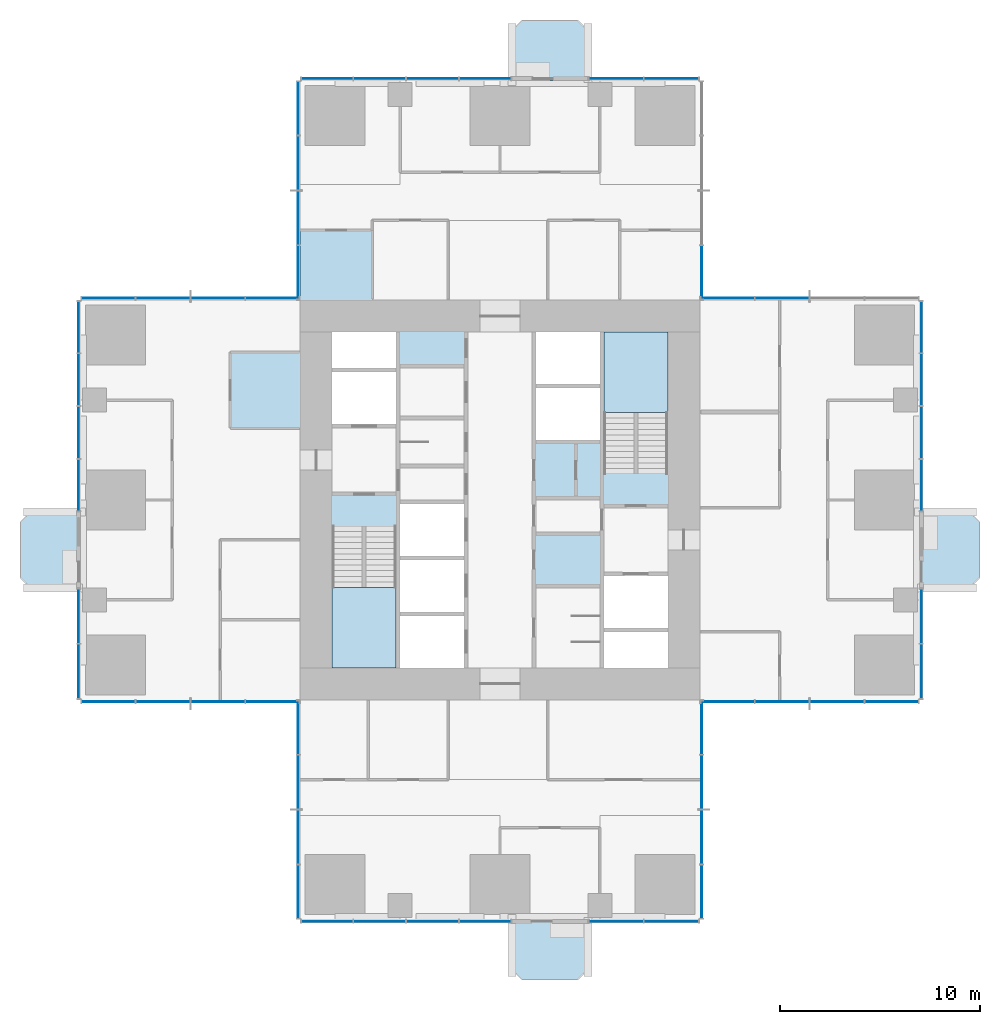
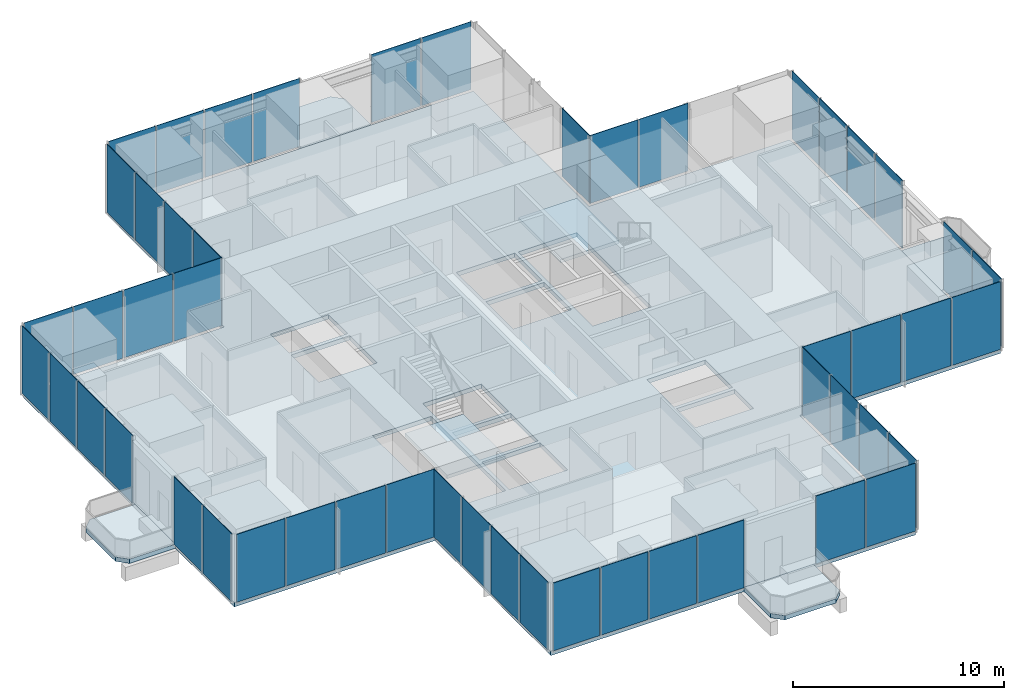
# One storey, part 7 of 14: 51 plates, 7 slabs, 18 elements without a shape of their own.
"""IFC4 building model written with IfcOpenShell, lengths in metres."""

from ifc_helpers import new_model, si_unit, direction, frame, origin, origin_2d, place, context, subcontext, project, spatial, polyline, rectangle, outline, extrude, material, layer, layer_set, type_object, element, aggregate, save


model = new_model("IFC4")

# Units and contexts
model_context = context("Model", 3, precision=1e-05, world=origin(), true_north=direction((0.0, 1.0)))
body_context = subcontext(model_context, "Body", "Model", "MODEL_VIEW")
ifc_project = project(units=[si_unit("LENGTHUNIT", "METRE"), si_unit("AREAUNIT", "SQUARE_METRE"), si_unit("VOLUMEUNIT", "CUBIC_METRE"), si_unit("PLANEANGLEUNIT", "RADIAN"), si_unit("MASSUNIT", "GRAM", prefix="KILO")], contexts=[model_context])

# Site, building, storey
site_placement = place(None, origin())
site = spatial("IfcSite", under=ifc_project, at=site_placement, CompositionType="ELEMENT")
building_placement = place(site_placement, origin())
building = spatial("IfcBuilding", under=site, at=building_placement, Name="Svetlomir Tower", CompositionType="ELEMENT")
storey_placement = place(building_placement, frame((0.0, 0.0, 104.5)))
storey = spatial("IfcBuildingStorey", under=building, at=storey_placement, Name="L24", CompositionType="ELEMENT", Elevation=104.5)

# Slabs
ifc_material_1 = material(Name="Concrete C60/75", Category="concrete")
ifc_layer_1 = layer(ifc_material_1, 0.25)
ifc_layer_set_1 = layer_set([ifc_layer_1], Name="Concrete C60/75")
slab_type_1 = type_object("IfcSlabType", Name="BALCONY SLAB 250", PredefinedType="FLOOR", material=ifc_layer_set_1)
slab_1_placement = place(storey_placement, frame((0.0, 0.0, -0.25)))
element("IfcSlab", 1, at=slab_1_placement, inside=storey, type_object=slab_type_1, Name="L24 S planted balcony", PredefinedType="FLOOR", context=body_context, shape_type="SweptSolid", body=[
    extrude(outline(polyline([(21.60009765625, -2.5), (22.10009765625, -3.0), (24.89990234375, -3.0), (25.39990234375, -2.5), (25.39990234375, 0.0), (21.60009765625, 0.0), (21.60009765625, -2.5)])), origin(), (0.0, 0.0, 1.0), 0.25),
])
slab_2_placement = place(storey_placement, frame((0.0, 0.0, -0.25)))
element("IfcSlab", 2, at=slab_2_placement, inside=storey, type_object=slab_type_1, Name="L24 E planted balcony", PredefinedType="FLOOR", context=body_context, shape_type="SweptSolid", body=[
    extrude(outline(polyline([(42.0, 16.60009765625), (44.5, 16.60009765625), (45.0, 17.10009765625), (45.0, 19.89990234375), (44.5, 20.39990234375), (42.0, 20.39990234375), (42.0, 16.60009765625)])), origin(), (0.0, 0.0, 1.0), 0.25),
])
slab_3_placement = place(storey_placement, frame((0.0, 0.0, -0.25)))
element("IfcSlab", 3, at=slab_3_placement, inside=storey, type_object=slab_type_1, Name="L24 N planted balcony", PredefinedType="FLOOR", context=body_context, shape_type="SweptSolid", body=[
    extrude(outline(polyline([(21.60009765625, 42.0), (25.39990234375, 42.0), (25.39990234375, 44.5), (24.89990234375, 45.0), (22.10009765625, 45.0), (21.60009765625, 44.5), (21.60009765625, 42.0)])), origin(), (0.0, 0.0, 1.0), 0.25),
])
slab_4_placement = place(storey_placement, frame((0.0, 0.0, -0.25)))
element("IfcSlab", 4, at=slab_4_placement, inside=storey, type_object=slab_type_1, Name="L24 W planted balcony", PredefinedType="FLOOR", context=body_context, shape_type="SweptSolid", body=[
    extrude(outline(polyline([(-2.5, 16.60009765625), (0.0, 16.60009765625), (0.0, 20.39990234375), (-2.5, 20.39990234375), (-3.0, 19.89990234375), (-3.0, 17.10009765625), (-2.5, 16.60009765625)])), origin(), (0.0, 0.0, 1.0), 0.25),
])

# Curtain wall, plates
ifc_material_2 = material(Name="Bronze anodised aluminium curtain wall", Category="aluminium")
curtain_wall_type = type_object("IfcCurtainWallType", Name="CURTAIN WALL CW1 TOWER OFFICE", PredefinedType="NOTDEFINED", material=ifc_material_2)
curtain_wall_1_placement = place(storey_placement, origin())
curtain_wall_1 = element("IfcCurtainWall", 5, at=curtain_wall_1_placement, inside=storey, type_object=curtain_wall_type, Name="Curtain wall CW1 L24", PredefinedType="NOTDEFINED")
ifc_material_3 = material(Name="Tinted double glazed unit", Category="glass")
ifc_layer_2 = layer(ifc_material_3, 0.031982421875)
ifc_layer_set_2 = layer_set([ifc_layer_2], Name="Tinted double glazed unit")
plate_type = type_object("IfcPlateType", Name="CW1 GLAZED PANEL 32", PredefinedType="CURTAIN_PANEL", material=ifc_layer_set_2)
plate_1_placement = place(storey_placement, frame((12.34130859375, -0.10009765625, 0.06494140625), z_axis=(0.0, 0.0, 1.0), x_axis=(1.0, 0.0, 0.0)))
plate_1 = element("IfcPlate", 6, at=plate_1_placement, type_object=plate_type, Name="CW1 panel 1.1", PredefinedType="CURTAIN_PANEL", context=body_context, shape_type="SweptSolid", body=[
    extrude(rectangle(XDim=2.552490234375, YDim=0.031982421875, at=origin_2d()), origin(), (0.0, 0.0, 1.0), 3.93505859375),
])
plate_2_placement = place(storey_placement, frame((14.97509765625, -0.10009765625, 0.06494140625), z_axis=(0.0, 0.0, 1.0), x_axis=(1.0, 0.0, 0.0)))
plate_2 = element("IfcPlate", 7, at=plate_2_placement, type_object=plate_type, Name="CW1 panel 2.1", PredefinedType="CURTAIN_PANEL", context=body_context, shape_type="SweptSolid", body=[
    extrude(rectangle(XDim=2.5849609375, YDim=0.031982421875, at=origin_2d()), origin(), (0.0, 0.0, 1.0), 3.93505859375),
])
plate_3_placement = place(storey_placement, frame((17.625, -0.10009765625, 0.06494140625), z_axis=(0.0, 0.0, 1.0), x_axis=(1.0, 0.0, 0.0)))
plate_3 = element("IfcPlate", 8, at=plate_3_placement, type_object=plate_type, Name="CW1 panel 3.1", PredefinedType="CURTAIN_PANEL", context=body_context, shape_type="SweptSolid", body=[
    extrude(rectangle(XDim=2.5849609375, YDim=0.031982421875, at=origin_2d()), origin(), (0.0, 0.0, 1.0), 3.93505859375),
])
plate_4_placement = place(storey_placement, frame((20.2587890625, -0.10009765625, 0.06494140625), z_axis=(0.0, 0.0, 1.0), x_axis=(1.0, 0.0, 0.0)))
plate_4 = element("IfcPlate", 9, at=plate_4_placement, type_object=plate_type, Name="CW1 panel 4.1", PredefinedType="CURTAIN_PANEL", context=body_context, shape_type="SweptSolid", body=[
    extrude(rectangle(XDim=2.552490234375, YDim=0.031982421875, at=origin_2d()), origin(), (0.0, 0.0, 1.0), 3.93505859375),
])
aggregate(curtain_wall_1, [plate_1, plate_2, plate_3, plate_4])

curtain_wall_2_placement = place(storey_placement, origin())
curtain_wall_2 = element("IfcCurtainWall", 10, at=curtain_wall_2_placement, inside=storey, type_object=curtain_wall_type, Name="Curtain wall CW1 L24", PredefinedType="NOTDEFINED")
plate_5_placement = place(storey_placement, frame((26.816162109375, -0.10009765625, 0.06494140625), z_axis=(0.0, 0.0, 1.0), x_axis=(1.0, 0.0, 0.0)))
plate_5 = element("IfcPlate", 11, at=plate_5_placement, type_object=plate_type, Name="CW1 panel 1.1", PredefinedType="CURTAIN_PANEL", context=body_context, shape_type="SweptSolid", body=[
    extrude(rectangle(XDim=2.702392578125, YDim=0.031982421875, at=origin_2d()), origin(), (0.0, 0.0, 1.0), 3.93505859375),
])
plate_6_placement = place(storey_placement, frame((29.583740234375, -0.10009765625, 0.06494140625), z_axis=(0.0, 0.0, 1.0), x_axis=(1.0, 0.0, 0.0)))
plate_6 = element("IfcPlate", 12, at=plate_6_placement, type_object=plate_type, Name="CW1 panel 2.1", PredefinedType="CURTAIN_PANEL", context=body_context, shape_type="SweptSolid", body=[
    extrude(rectangle(XDim=2.702392578125, YDim=0.031982421875, at=origin_2d()), origin(), (0.0, 0.0, 1.0), 3.93505859375),
])
aggregate(curtain_wall_2, [plate_5, plate_6])

curtain_wall_3_placement = place(storey_placement, origin())
curtain_wall_3 = element("IfcCurtainWall", 13, at=curtain_wall_3_placement, inside=storey, type_object=curtain_wall_type, Name="Curtain wall CW1 L24", PredefinedType="NOTDEFINED")
plate_7_placement = place(storey_placement, frame((31.10009765625, 1.391357421875, 0.06494140625), z_axis=(0.0, 0.0, 1.0), x_axis=(0.0, 1.0, 0.0)))
plate_7 = element("IfcPlate", 14, at=plate_7_placement, type_object=plate_type, Name="CW1 panel 1.1", PredefinedType="CURTAIN_PANEL", context=body_context, shape_type="SweptSolid", body=[
    extrude(rectangle(XDim=2.652587890625, YDim=0.031982421875, at=origin_2d()), origin(), (0.0, 0.0, 1.0), 3.93505859375),
])
plate_8_placement = place(storey_placement, frame((31.10009765625, 4.125, 0.06494140625), z_axis=(0.0, 0.0, 1.0), x_axis=(0.0, 1.0, 0.0)))
plate_8 = element("IfcPlate", 15, at=plate_8_placement, type_object=plate_type, Name="CW1 panel 2.1", PredefinedType="CURTAIN_PANEL", context=body_context, shape_type="SweptSolid", body=[
    extrude(rectangle(XDim=2.68505859375, YDim=0.031982421875, at=origin_2d()), origin(), (0.0, 0.0, 1.0), 3.93505859375),
])
plate_9_placement = place(storey_placement, frame((31.10009765625, 6.875, 0.06494140625), z_axis=(0.0, 0.0, 1.0), x_axis=(0.0, 1.0, 0.0)))
plate_9 = element("IfcPlate", 16, at=plate_9_placement, type_object=plate_type, Name="CW1 panel 3.1", PredefinedType="CURTAIN_PANEL", context=body_context, shape_type="SweptSolid", body=[
    extrude(rectangle(XDim=2.68505859375, YDim=0.031982421875, at=origin_2d()), origin(), (0.0, 0.0, 1.0), 3.93505859375),
])
plate_10_placement = place(storey_placement, frame((31.10009765625, 9.608642578125, 0.06494140625), z_axis=(0.0, 0.0, 1.0), x_axis=(0.0, 1.0, 0.0)))
plate_10 = element("IfcPlate", 17, at=plate_10_placement, type_object=plate_type, Name="CW1 panel 4.1", PredefinedType="CURTAIN_PANEL", context=body_context, shape_type="SweptSolid", body=[
    extrude(rectangle(XDim=2.652587890625, YDim=0.031982421875, at=origin_2d()), origin(), (0.0, 0.0, 1.0), 3.93505859375),
])
aggregate(curtain_wall_3, [plate_7, plate_8, plate_9, plate_10])

curtain_wall_4_placement = place(storey_placement, origin())
curtain_wall_4 = element("IfcCurtainWall", 18, at=curtain_wall_4_placement, inside=storey, type_object=curtain_wall_type, Name="Curtain wall CW1 L24", PredefinedType="NOTDEFINED")
plate_11_placement = place(storey_placement, frame((32.391357421875, 10.89990234375, 0.06494140625), z_axis=(0.0, 0.0, 1.0), x_axis=(1.0, 0.0, 0.0)))
plate_11 = element("IfcPlate", 19, at=plate_11_placement, type_object=plate_type, Name="CW1 panel 1.1", PredefinedType="CURTAIN_PANEL", context=body_context, shape_type="SweptSolid", body=[
    extrude(rectangle(XDim=2.652587890625, YDim=0.031982421875, at=origin_2d()), origin(), (0.0, 0.0, 1.0), 3.93505859375),
])
plate_12_placement = place(storey_placement, frame((35.125, 10.89990234375, 0.06494140625), z_axis=(0.0, 0.0, 1.0), x_axis=(1.0, 0.0, 0.0)))
plate_12 = element("IfcPlate", 20, at=plate_12_placement, type_object=plate_type, Name="CW1 panel 2.1", PredefinedType="CURTAIN_PANEL", context=body_context, shape_type="SweptSolid", body=[
    extrude(rectangle(XDim=2.68505859375, YDim=0.031982421875, at=origin_2d()), origin(), (0.0, 0.0, 1.0), 3.93505859375),
])
plate_13_placement = place(storey_placement, frame((37.875, 10.89990234375, 0.06494140625), z_axis=(0.0, 0.0, 1.0), x_axis=(1.0, 0.0, 0.0)))
plate_13 = element("IfcPlate", 21, at=plate_13_placement, type_object=plate_type, Name="CW1 panel 3.1", PredefinedType="CURTAIN_PANEL", context=body_context, shape_type="SweptSolid", body=[
    extrude(rectangle(XDim=2.68505859375, YDim=0.031982421875, at=origin_2d()), origin(), (0.0, 0.0, 1.0), 3.93505859375),
])
plate_14_placement = place(storey_placement, frame((40.608642578125, 10.89990234375, 0.06494140625), z_axis=(0.0, 0.0, 1.0), x_axis=(1.0, 0.0, 0.0)))
plate_14 = element("IfcPlate", 22, at=plate_14_placement, type_object=plate_type, Name="CW1 panel 4.1", PredefinedType="CURTAIN_PANEL", context=body_context, shape_type="SweptSolid", body=[
    extrude(rectangle(XDim=2.652587890625, YDim=0.031982421875, at=origin_2d()), origin(), (0.0, 0.0, 1.0), 3.93505859375),
])
aggregate(curtain_wall_4, [plate_11, plate_12, plate_13, plate_14])

curtain_wall_5_placement = place(storey_placement, origin())
curtain_wall_5 = element("IfcCurtainWall", 23, at=curtain_wall_5_placement, inside=storey, type_object=curtain_wall_type, Name="Curtain wall CW1 L24", PredefinedType="NOTDEFINED")
plate_15_placement = place(storey_placement, frame((42.10009765625, 12.416259765625, 0.06494140625), z_axis=(0.0, 0.0, 1.0), x_axis=(0.0, 1.0, 0.0)))
plate_15 = element("IfcPlate", 24, at=plate_15_placement, type_object=plate_type, Name="CW1 panel 1.1", PredefinedType="CURTAIN_PANEL", context=body_context, shape_type="SweptSolid", body=[
    extrude(rectangle(XDim=2.702392578125, YDim=0.031982421875, at=origin_2d()), origin(), (0.0, 0.0, 1.0), 3.93505859375),
])
plate_16_placement = place(storey_placement, frame((42.10009765625, 15.183837890625, 0.06494140625), z_axis=(0.0, 0.0, 1.0), x_axis=(0.0, 1.0, 0.0)))
plate_16 = element("IfcPlate", 25, at=plate_16_placement, type_object=plate_type, Name="CW1 panel 2.1", PredefinedType="CURTAIN_PANEL", context=body_context, shape_type="SweptSolid", body=[
    extrude(rectangle(XDim=2.702392578125, YDim=0.031982421875, at=origin_2d()), origin(), (0.0, 0.0, 1.0), 3.93505859375),
])
aggregate(curtain_wall_5, [plate_15, plate_16])

curtain_wall_6_placement = place(storey_placement, origin())
curtain_wall_6 = element("IfcCurtainWall", 26, at=curtain_wall_6_placement, inside=storey, type_object=curtain_wall_type, Name="Curtain wall CW1 L24", PredefinedType="NOTDEFINED")
plate_17_placement = place(storey_placement, frame((42.10009765625, 21.7412109375, 0.06494140625), z_axis=(0.0, 0.0, 1.0), x_axis=(0.0, 1.0, 0.0)))
plate_17 = element("IfcPlate", 27, at=plate_17_placement, type_object=plate_type, Name="CW1 panel 1.1", PredefinedType="CURTAIN_PANEL", context=body_context, shape_type="SweptSolid", body=[
    extrude(rectangle(XDim=2.552490234375, YDim=0.031982421875, at=origin_2d()), origin(), (0.0, 0.0, 1.0), 3.93505859375),
])
plate_18_placement = place(storey_placement, frame((42.10009765625, 24.375, 0.06494140625), z_axis=(0.0, 0.0, 1.0), x_axis=(0.0, 1.0, 0.0)))
plate_18 = element("IfcPlate", 28, at=plate_18_placement, type_object=plate_type, Name="CW1 panel 2.1", PredefinedType="CURTAIN_PANEL", context=body_context, shape_type="SweptSolid", body=[
    extrude(rectangle(XDim=2.5849609375, YDim=0.031982421875, at=origin_2d()), origin(), (0.0, 0.0, 1.0), 3.93505859375),
])
plate_19_placement = place(storey_placement, frame((42.10009765625, 27.02490234375, 0.06494140625), z_axis=(0.0, 0.0, 1.0), x_axis=(0.0, 1.0, 0.0)))
plate_19 = element("IfcPlate", 29, at=plate_19_placement, type_object=plate_type, Name="CW1 panel 3.1", PredefinedType="CURTAIN_PANEL", context=body_context, shape_type="SweptSolid", body=[
    extrude(rectangle(XDim=2.5849609375, YDim=0.031982421875, at=origin_2d()), origin(), (0.0, 0.0, 1.0), 3.93505859375),
])
plate_20_placement = place(storey_placement, frame((42.10009765625, 29.65869140625, 0.06494140625), z_axis=(0.0, 0.0, 1.0), x_axis=(0.0, 1.0, 0.0)))
plate_20 = element("IfcPlate", 30, at=plate_20_placement, type_object=plate_type, Name="CW1 panel 4.1", PredefinedType="CURTAIN_PANEL", context=body_context, shape_type="SweptSolid", body=[
    extrude(rectangle(XDim=2.552490234375, YDim=0.031982421875, at=origin_2d()), origin(), (0.0, 0.0, 1.0), 3.93505859375),
])
aggregate(curtain_wall_6, [plate_17, plate_18, plate_19, plate_20])

curtain_wall_7_placement = place(storey_placement, origin())
curtain_wall_7 = element("IfcCurtainWall", 31, at=curtain_wall_7_placement, inside=storey, type_object=curtain_wall_type, Name="Curtain wall CW1 L24", PredefinedType="NOTDEFINED")
plate_21_placement = place(storey_placement, frame((35.125, 31.10009765625, 0.06494140625), z_axis=(0.0, 0.0, 1.0), x_axis=(-1.0, 0.0, 0.0)))
plate_21 = element("IfcPlate", 32, at=plate_21_placement, type_object=plate_type, Name="CW1 panel 3.1", PredefinedType="CURTAIN_PANEL", context=body_context, shape_type="SweptSolid", body=[
    extrude(rectangle(XDim=2.68505859375, YDim=0.031982421875, at=origin_2d()), origin(), (0.0, 0.0, 1.0), 3.93505859375),
])
plate_22_placement = place(storey_placement, frame((32.391357421875, 31.10009765625, 0.06494140625), z_axis=(0.0, 0.0, 1.0), x_axis=(-1.0, 0.0, 0.0)))
plate_22 = element("IfcPlate", 33, at=plate_22_placement, type_object=plate_type, Name="CW1 panel 4.1", PredefinedType="CURTAIN_PANEL", context=body_context, shape_type="SweptSolid", body=[
    extrude(rectangle(XDim=2.652587890625, YDim=0.031982421875, at=origin_2d()), origin(), (0.0, 0.0, 1.0), 3.93505859375),
])
aggregate(curtain_wall_7, [plate_21, plate_22])

# Curtain wall, plate
curtain_wall_8_placement = place(storey_placement, origin())
curtain_wall_8 = element("IfcCurtainWall", 34, at=curtain_wall_8_placement, inside=storey, type_object=curtain_wall_type, Name="Curtain wall CW1 L24", PredefinedType="NOTDEFINED")
plate_23_placement = place(storey_placement, frame((31.10009765625, 32.391357421875, 0.06494140625), z_axis=(0.0, 0.0, 1.0), x_axis=(0.0, 1.0, 0.0)))
plate_23 = element("IfcPlate", 35, at=plate_23_placement, type_object=plate_type, Name="CW1 panel 1.1", PredefinedType="CURTAIN_PANEL", context=body_context, shape_type="SweptSolid", body=[
    extrude(rectangle(XDim=2.652587890625, YDim=0.031982421875, at=origin_2d()), origin(), (0.0, 0.0, 1.0), 3.93505859375),
])
aggregate(curtain_wall_8, [plate_23])

# Curtain wall, plates
curtain_wall_9_placement = place(storey_placement, origin())
curtain_wall_9 = element("IfcCurtainWall", 36, at=curtain_wall_9_placement, inside=storey, type_object=curtain_wall_type, Name="Curtain wall CW1 L24", PredefinedType="NOTDEFINED")
plate_24_placement = place(storey_placement, frame((29.583740234375, 42.10009765625, 0.06494140625), z_axis=(0.0, 0.0, 1.0), x_axis=(-1.0, 0.0, 0.0)))
plate_24 = element("IfcPlate", 37, at=plate_24_placement, type_object=plate_type, Name="CW1 panel 1.1", PredefinedType="CURTAIN_PANEL", context=body_context, shape_type="SweptSolid", body=[
    extrude(rectangle(XDim=2.702392578125, YDim=0.031982421875, at=origin_2d()), origin(), (0.0, 0.0, 1.0), 3.93505859375),
])
plate_25_placement = place(storey_placement, frame((26.816162109375, 42.10009765625, 0.06494140625), z_axis=(0.0, 0.0, 1.0), x_axis=(-1.0, 0.0, 0.0)))
plate_25 = element("IfcPlate", 38, at=plate_25_placement, type_object=plate_type, Name="CW1 panel 2.1", PredefinedType="CURTAIN_PANEL", context=body_context, shape_type="SweptSolid", body=[
    extrude(rectangle(XDim=2.702392578125, YDim=0.031982421875, at=origin_2d()), origin(), (0.0, 0.0, 1.0), 3.93505859375),
])
aggregate(curtain_wall_9, [plate_24, plate_25])

curtain_wall_10_placement = place(storey_placement, origin())
curtain_wall_10 = element("IfcCurtainWall", 39, at=curtain_wall_10_placement, inside=storey, type_object=curtain_wall_type, Name="Curtain wall CW1 L24", PredefinedType="NOTDEFINED")
plate_26_placement = place(storey_placement, frame((20.2587890625, 42.10009765625, 0.06494140625), z_axis=(0.0, 0.0, 1.0), x_axis=(-1.0, 0.0, 0.0)))
plate_26 = element("IfcPlate", 40, at=plate_26_placement, type_object=plate_type, Name="CW1 panel 1.1", PredefinedType="CURTAIN_PANEL", context=body_context, shape_type="SweptSolid", body=[
    extrude(rectangle(XDim=2.552490234375, YDim=0.031982421875, at=origin_2d()), origin(), (0.0, 0.0, 1.0), 3.93505859375),
])
plate_27_placement = place(storey_placement, frame((17.625, 42.10009765625, 0.06494140625), z_axis=(0.0, 0.0, 1.0), x_axis=(-1.0, 0.0, 0.0)))
plate_27 = element("IfcPlate", 41, at=plate_27_placement, type_object=plate_type, Name="CW1 panel 2.1", PredefinedType="CURTAIN_PANEL", context=body_context, shape_type="SweptSolid", body=[
    extrude(rectangle(XDim=2.5849609375, YDim=0.031982421875, at=origin_2d()), origin(), (0.0, 0.0, 1.0), 3.93505859375),
])
plate_28_placement = place(storey_placement, frame((14.97509765625, 42.10009765625, 0.06494140625), z_axis=(0.0, 0.0, 1.0), x_axis=(-1.0, 0.0, 0.0)))
plate_28 = element("IfcPlate", 42, at=plate_28_placement, type_object=plate_type, Name="CW1 panel 3.1", PredefinedType="CURTAIN_PANEL", context=body_context, shape_type="SweptSolid", body=[
    extrude(rectangle(XDim=2.5849609375, YDim=0.031982421875, at=origin_2d()), origin(), (0.0, 0.0, 1.0), 3.93505859375),
])
plate_29_placement = place(storey_placement, frame((12.34130859375, 42.10009765625, 0.06494140625), z_axis=(0.0, 0.0, 1.0), x_axis=(-1.0, 0.0, 0.0)))
plate_29 = element("IfcPlate", 43, at=plate_29_placement, type_object=plate_type, Name="CW1 panel 4.1", PredefinedType="CURTAIN_PANEL", context=body_context, shape_type="SweptSolid", body=[
    extrude(rectangle(XDim=2.552490234375, YDim=0.031982421875, at=origin_2d()), origin(), (0.0, 0.0, 1.0), 3.93505859375),
])
aggregate(curtain_wall_10, [plate_26, plate_27, plate_28, plate_29])

curtain_wall_11_placement = place(storey_placement, origin())
curtain_wall_11 = element("IfcCurtainWall", 44, at=curtain_wall_11_placement, inside=storey, type_object=curtain_wall_type, Name="Curtain wall CW1 L24", PredefinedType="NOTDEFINED")
plate_30_placement = place(storey_placement, frame((10.89990234375, 40.608642578125, 0.06494140625), z_axis=(0.0, 0.0, 1.0), x_axis=(0.0, -1.0, 0.0)))
plate_30 = element("IfcPlate", 45, at=plate_30_placement, type_object=plate_type, Name="CW1 panel 1.1", PredefinedType="CURTAIN_PANEL", context=body_context, shape_type="SweptSolid", body=[
    extrude(rectangle(XDim=2.652587890625, YDim=0.031982421875, at=origin_2d()), origin(), (0.0, 0.0, 1.0), 3.93505859375),
])
plate_31_placement = place(storey_placement, frame((10.89990234375, 37.875, 0.06494140625), z_axis=(0.0, 0.0, 1.0), x_axis=(0.0, -1.0, 0.0)))
plate_31 = element("IfcPlate", 46, at=plate_31_placement, type_object=plate_type, Name="CW1 panel 2.1", PredefinedType="CURTAIN_PANEL", context=body_context, shape_type="SweptSolid", body=[
    extrude(rectangle(XDim=2.68505859375, YDim=0.031982421875, at=origin_2d()), origin(), (0.0, 0.0, 1.0), 3.93505859375),
])
plate_32_placement = place(storey_placement, frame((10.89990234375, 35.125, 0.06494140625), z_axis=(0.0, 0.0, 1.0), x_axis=(0.0, -1.0, 0.0)))
plate_32 = element("IfcPlate", 47, at=plate_32_placement, type_object=plate_type, Name="CW1 panel 3.1", PredefinedType="CURTAIN_PANEL", context=body_context, shape_type="SweptSolid", body=[
    extrude(rectangle(XDim=2.68505859375, YDim=0.031982421875, at=origin_2d()), origin(), (0.0, 0.0, 1.0), 3.93505859375),
])
plate_33_placement = place(storey_placement, frame((10.89990234375, 32.391357421875, 0.06494140625), z_axis=(0.0, 0.0, 1.0), x_axis=(0.0, -1.0, 0.0)))
plate_33 = element("IfcPlate", 48, at=plate_33_placement, type_object=plate_type, Name="CW1 panel 4.1", PredefinedType="CURTAIN_PANEL", context=body_context, shape_type="SweptSolid", body=[
    extrude(rectangle(XDim=2.652587890625, YDim=0.031982421875, at=origin_2d()), origin(), (0.0, 0.0, 1.0), 3.93505859375),
])
aggregate(curtain_wall_11, [plate_30, plate_31, plate_32, plate_33])

curtain_wall_12_placement = place(storey_placement, origin())
curtain_wall_12 = element("IfcCurtainWall", 49, at=curtain_wall_12_placement, inside=storey, type_object=curtain_wall_type, Name="Curtain wall CW1 L24", PredefinedType="NOTDEFINED")
plate_34_placement = place(storey_placement, frame((9.608642578125, 31.10009765625, 0.06494140625), z_axis=(0.0, 0.0, 1.0), x_axis=(-1.0, 0.0, 0.0)))
plate_34 = element("IfcPlate", 50, at=plate_34_placement, type_object=plate_type, Name="CW1 panel 1.1", PredefinedType="CURTAIN_PANEL", context=body_context, shape_type="SweptSolid", body=[
    extrude(rectangle(XDim=2.652587890625, YDim=0.031982421875, at=origin_2d()), origin(), (0.0, 0.0, 1.0), 3.93505859375),
])
plate_35_placement = place(storey_placement, frame((6.875, 31.10009765625, 0.06494140625), z_axis=(0.0, 0.0, 1.0), x_axis=(-1.0, 0.0, 0.0)))
plate_35 = element("IfcPlate", 51, at=plate_35_placement, type_object=plate_type, Name="CW1 panel 2.1", PredefinedType="CURTAIN_PANEL", context=body_context, shape_type="SweptSolid", body=[
    extrude(rectangle(XDim=2.68505859375, YDim=0.031982421875, at=origin_2d()), origin(), (0.0, 0.0, 1.0), 3.93505859375),
])
plate_36_placement = place(storey_placement, frame((4.125, 31.10009765625, 0.06494140625), z_axis=(0.0, 0.0, 1.0), x_axis=(-1.0, 0.0, 0.0)))
plate_36 = element("IfcPlate", 52, at=plate_36_placement, type_object=plate_type, Name="CW1 panel 3.1", PredefinedType="CURTAIN_PANEL", context=body_context, shape_type="SweptSolid", body=[
    extrude(rectangle(XDim=2.68505859375, YDim=0.031982421875, at=origin_2d()), origin(), (0.0, 0.0, 1.0), 3.93505859375),
])
plate_37_placement = place(storey_placement, frame((1.391357421875, 31.10009765625, 0.06494140625), z_axis=(0.0, 0.0, 1.0), x_axis=(-1.0, 0.0, 0.0)))
plate_37 = element("IfcPlate", 53, at=plate_37_placement, type_object=plate_type, Name="CW1 panel 4.1", PredefinedType="CURTAIN_PANEL", context=body_context, shape_type="SweptSolid", body=[
    extrude(rectangle(XDim=2.652587890625, YDim=0.031982421875, at=origin_2d()), origin(), (0.0, 0.0, 1.0), 3.93505859375),
])
aggregate(curtain_wall_12, [plate_34, plate_35, plate_36, plate_37])

curtain_wall_13_placement = place(storey_placement, origin())
curtain_wall_13 = element("IfcCurtainWall", 54, at=curtain_wall_13_placement, inside=storey, type_object=curtain_wall_type, Name="Curtain wall CW1 L24", PredefinedType="NOTDEFINED")
plate_38_placement = place(storey_placement, frame((-0.10009765625, 29.65869140625, 0.06494140625), z_axis=(0.0, 0.0, 1.0), x_axis=(0.0, -1.0, 0.0)))
plate_38 = element("IfcPlate", 55, at=plate_38_placement, type_object=plate_type, Name="CW1 panel 1.1", PredefinedType="CURTAIN_PANEL", context=body_context, shape_type="SweptSolid", body=[
    extrude(rectangle(XDim=2.552490234375, YDim=0.031982421875, at=origin_2d()), origin(), (0.0, 0.0, 1.0), 3.93505859375),
])
plate_39_placement = place(storey_placement, frame((-0.10009765625, 27.02490234375, 0.06494140625), z_axis=(0.0, 0.0, 1.0), x_axis=(0.0, -1.0, 0.0)))
plate_39 = element("IfcPlate", 56, at=plate_39_placement, type_object=plate_type, Name="CW1 panel 2.1", PredefinedType="CURTAIN_PANEL", context=body_context, shape_type="SweptSolid", body=[
    extrude(rectangle(XDim=2.5849609375, YDim=0.031982421875, at=origin_2d()), origin(), (0.0, 0.0, 1.0), 3.93505859375),
])
plate_40_placement = place(storey_placement, frame((-0.10009765625, 24.375, 0.06494140625), z_axis=(0.0, 0.0, 1.0), x_axis=(0.0, -1.0, 0.0)))
plate_40 = element("IfcPlate", 57, at=plate_40_placement, type_object=plate_type, Name="CW1 panel 3.1", PredefinedType="CURTAIN_PANEL", context=body_context, shape_type="SweptSolid", body=[
    extrude(rectangle(XDim=2.5849609375, YDim=0.031982421875, at=origin_2d()), origin(), (0.0, 0.0, 1.0), 3.93505859375),
])
plate_41_placement = place(storey_placement, frame((-0.10009765625, 21.7412109375, 0.06494140625), z_axis=(0.0, 0.0, 1.0), x_axis=(0.0, -1.0, 0.0)))
plate_41 = element("IfcPlate", 58, at=plate_41_placement, type_object=plate_type, Name="CW1 panel 4.1", PredefinedType="CURTAIN_PANEL", context=body_context, shape_type="SweptSolid", body=[
    extrude(rectangle(XDim=2.552490234375, YDim=0.031982421875, at=origin_2d()), origin(), (0.0, 0.0, 1.0), 3.93505859375),
])
aggregate(curtain_wall_13, [plate_38, plate_39, plate_40, plate_41])

curtain_wall_14_placement = place(storey_placement, origin())
curtain_wall_14 = element("IfcCurtainWall", 59, at=curtain_wall_14_placement, inside=storey, type_object=curtain_wall_type, Name="Curtain wall CW1 L24", PredefinedType="NOTDEFINED")
plate_42_placement = place(storey_placement, frame((-0.10009765625, 15.183837890625, 0.06494140625), z_axis=(0.0, 0.0, 1.0), x_axis=(0.0, -1.0, 0.0)))
plate_42 = element("IfcPlate", 60, at=plate_42_placement, type_object=plate_type, Name="CW1 panel 1.1", PredefinedType="CURTAIN_PANEL", context=body_context, shape_type="SweptSolid", body=[
    extrude(rectangle(XDim=2.702392578125, YDim=0.031982421875, at=origin_2d()), origin(), (0.0, 0.0, 1.0), 3.93505859375),
])
plate_43_placement = place(storey_placement, frame((-0.10009765625, 12.416259765625, 0.06494140625), z_axis=(0.0, 0.0, 1.0), x_axis=(0.0, -1.0, 0.0)))
plate_43 = element("IfcPlate", 61, at=plate_43_placement, type_object=plate_type, Name="CW1 panel 2.1", PredefinedType="CURTAIN_PANEL", context=body_context, shape_type="SweptSolid", body=[
    extrude(rectangle(XDim=2.702392578125, YDim=0.031982421875, at=origin_2d()), origin(), (0.0, 0.0, 1.0), 3.93505859375),
])
aggregate(curtain_wall_14, [plate_42, plate_43])

curtain_wall_15_placement = place(storey_placement, origin())
curtain_wall_15 = element("IfcCurtainWall", 62, at=curtain_wall_15_placement, inside=storey, type_object=curtain_wall_type, Name="Curtain wall CW1 L24", PredefinedType="NOTDEFINED")
plate_44_placement = place(storey_placement, frame((1.391357421875, 10.89990234375, 0.06494140625), z_axis=(0.0, 0.0, 1.0), x_axis=(1.0, 0.0, 0.0)))
plate_44 = element("IfcPlate", 63, at=plate_44_placement, type_object=plate_type, Name="CW1 panel 1.1", PredefinedType="CURTAIN_PANEL", context=body_context, shape_type="SweptSolid", body=[
    extrude(rectangle(XDim=2.652587890625, YDim=0.031982421875, at=origin_2d()), origin(), (0.0, 0.0, 1.0), 3.93505859375),
])
plate_45_placement = place(storey_placement, frame((4.125, 10.89990234375, 0.06494140625), z_axis=(0.0, 0.0, 1.0), x_axis=(1.0, 0.0, 0.0)))
plate_45 = element("IfcPlate", 64, at=plate_45_placement, type_object=plate_type, Name="CW1 panel 2.1", PredefinedType="CURTAIN_PANEL", context=body_context, shape_type="SweptSolid", body=[
    extrude(rectangle(XDim=2.68505859375, YDim=0.031982421875, at=origin_2d()), origin(), (0.0, 0.0, 1.0), 3.93505859375),
])
plate_46_placement = place(storey_placement, frame((6.875, 10.89990234375, 0.06494140625), z_axis=(0.0, 0.0, 1.0), x_axis=(1.0, 0.0, 0.0)))
plate_46 = element("IfcPlate", 65, at=plate_46_placement, type_object=plate_type, Name="CW1 panel 3.1", PredefinedType="CURTAIN_PANEL", context=body_context, shape_type="SweptSolid", body=[
    extrude(rectangle(XDim=2.68505859375, YDim=0.031982421875, at=origin_2d()), origin(), (0.0, 0.0, 1.0), 3.93505859375),
])
plate_47_placement = place(storey_placement, frame((9.608642578125, 10.89990234375, 0.06494140625), z_axis=(0.0, 0.0, 1.0), x_axis=(1.0, 0.0, 0.0)))
plate_47 = element("IfcPlate", 66, at=plate_47_placement, type_object=plate_type, Name="CW1 panel 4.1", PredefinedType="CURTAIN_PANEL", context=body_context, shape_type="SweptSolid", body=[
    extrude(rectangle(XDim=2.652587890625, YDim=0.031982421875, at=origin_2d()), origin(), (0.0, 0.0, 1.0), 3.93505859375),
])
aggregate(curtain_wall_15, [plate_44, plate_45, plate_46, plate_47])

curtain_wall_16_placement = place(storey_placement, origin())
curtain_wall_16 = element("IfcCurtainWall", 67, at=curtain_wall_16_placement, inside=storey, type_object=curtain_wall_type, Name="Curtain wall CW1 L24", PredefinedType="NOTDEFINED")
plate_48_placement = place(storey_placement, frame((10.89990234375, 9.608642578125, 0.06494140625), z_axis=(0.0, 0.0, 1.0), x_axis=(0.0, -1.0, 0.0)))
plate_48 = element("IfcPlate", 68, at=plate_48_placement, type_object=plate_type, Name="CW1 panel 1.1", PredefinedType="CURTAIN_PANEL", context=body_context, shape_type="SweptSolid", body=[
    extrude(rectangle(XDim=2.652587890625, YDim=0.031982421875, at=origin_2d()), origin(), (0.0, 0.0, 1.0), 3.93505859375),
])
plate_49_placement = place(storey_placement, frame((10.89990234375, 6.875, 0.06494140625), z_axis=(0.0, 0.0, 1.0), x_axis=(0.0, -1.0, 0.0)))
plate_49 = element("IfcPlate", 69, at=plate_49_placement, type_object=plate_type, Name="CW1 panel 2.1", PredefinedType="CURTAIN_PANEL", context=body_context, shape_type="SweptSolid", body=[
    extrude(rectangle(XDim=2.68505859375, YDim=0.031982421875, at=origin_2d()), origin(), (0.0, 0.0, 1.0), 3.93505859375),
])
plate_50_placement = place(storey_placement, frame((10.89990234375, 4.125, 0.06494140625), z_axis=(0.0, 0.0, 1.0), x_axis=(0.0, -1.0, 0.0)))
plate_50 = element("IfcPlate", 70, at=plate_50_placement, type_object=plate_type, Name="CW1 panel 3.1", PredefinedType="CURTAIN_PANEL", context=body_context, shape_type="SweptSolid", body=[
    extrude(rectangle(XDim=2.68505859375, YDim=0.031982421875, at=origin_2d()), origin(), (0.0, 0.0, 1.0), 3.93505859375),
])
plate_51_placement = place(storey_placement, frame((10.89990234375, 1.391357421875, 0.06494140625), z_axis=(0.0, 0.0, 1.0), x_axis=(0.0, -1.0, 0.0)))
plate_51 = element("IfcPlate", 71, at=plate_51_placement, type_object=plate_type, Name="CW1 panel 4.1", PredefinedType="CURTAIN_PANEL", context=body_context, shape_type="SweptSolid", body=[
    extrude(rectangle(XDim=2.652587890625, YDim=0.031982421875, at=origin_2d()), origin(), (0.0, 0.0, 1.0), 3.93505859375),
])
aggregate(curtain_wall_16, [plate_48, plate_49, plate_50, plate_51])

# Slab
ifc_material_4 = material(Name="Concrete C60/75", Category="concrete")
ifc_layer_3 = layer(ifc_material_4, 0.25)
ifc_layer_set_3 = layer_set([ifc_layer_3], Name="Concrete C60/75")
slab_type_2 = type_object("IfcSlabType", Name="FLOOR SLAB 250", PredefinedType="FLOOR", material=ifc_layer_set_3)
slab_5_placement = place(storey_placement, frame((0.0, 0.0, -0.25)))
element("IfcSlab", 72, at=slab_5_placement, inside=storey, type_object=slab_type_2, Name="L24 floor slab", PredefinedType="FLOOR", context=body_context, shape_type="SweptSolid", body=[
    extrude(outline(polyline([(11.0, 0.0), (31.0, 0.0), (31.0, 11.0), (42.0, 11.0), (42.0, 31.0), (31.0, 31.0), (31.0, 42.0), (11.0, 42.0), (11.0, 31.0), (0.0, 31.0), (0.0, 11.0), (11.0, 11.0), (11.0, 0.0)]), holes=[polyline([(12.60009765625, 24.800048828125), (15.800048828125, 24.800048828125), (15.800048828125, 27.39990234375), (12.60009765625, 27.39990234375), (12.60009765625, 24.800048828125)]), polyline([(26.199951171875, 14.60009765625), (29.39990234375, 14.60009765625), (29.39990234375, 17.199951171875), (26.199951171875, 17.199951171875), (26.199951171875, 14.60009765625)]), polyline([(16.0, 12.60009765625), (19.199951171875, 12.60009765625), (19.199951171875, 15.199951171875), (16.0, 15.199951171875), (16.0, 12.60009765625)]), polyline([(16.0, 15.39990234375), (19.199951171875, 15.39990234375), (19.199951171875, 18.0), (16.0, 18.0), (16.0, 15.39990234375)]), polyline([(16.0, 18.199951171875), (19.199951171875, 18.199951171875), (19.199951171875, 20.800048828125), (16.0, 20.800048828125), (16.0, 18.199951171875)]), polyline([(22.800048828125, 24.0), (26.0, 24.0), (26.0, 26.60009765625), (22.800048828125, 26.60009765625), (22.800048828125, 24.0)]), polyline([(22.800048828125, 26.800048828125), (26.0, 26.800048828125), (26.0, 29.39990234375), (22.800048828125, 29.39990234375), (22.800048828125, 26.800048828125)]), polyline([(12.60009765625, 27.60009765625), (15.800048828125, 27.60009765625), (15.800048828125, 29.39990234375), (12.60009765625, 29.39990234375), (12.60009765625, 27.60009765625)]), polyline([(26.199951171875, 12.60009765625), (29.39990234375, 12.60009765625), (29.39990234375, 14.39990234375), (26.199951171875, 14.39990234375), (26.199951171875, 12.60009765625)]), polyline([(12.60009765625, 12.60009765625), (15.800048828125, 12.60009765625), (15.800048828125, 19.679931640625), (12.60009765625, 19.679931640625), (12.60009765625, 12.60009765625)]), polyline([(26.199951171875, 22.320068359375), (29.39990234375, 22.320068359375), (29.39990234375, 29.39990234375), (26.199951171875, 29.39990234375), (26.199951171875, 22.320068359375)])]), origin(), (0.0, 0.0, 1.0), 0.25),
])

# Stair, slab
ifc_material_5 = material(Name="Concrete C60/75", Category="concrete")
stair_type = type_object("IfcStairType", Name="EXIT STAIR 3200 RISE 4000", PredefinedType="HALF_TURN_STAIR", material=ifc_material_5)
stair_1_placement = place(storey_placement, origin())
stair_1 = element("IfcStair", 73, at=stair_1_placement, inside=storey, type_object=stair_type, Name="Stair S1 L24 to L25", PredefinedType="HALF_TURN_STAIR")
ifc_material_6 = material(Name="Concrete C60/75", Category="concrete")
ifc_layer_4 = layer(ifc_material_6, 0.199951171875)
ifc_layer_set_4 = layer_set([ifc_layer_4], Name="Concrete C60/75")
slab_type_3 = type_object("IfcSlabType", Name="STAIR LANDING 200", PredefinedType="LANDING", material=ifc_layer_set_4)
slab_6_placement = place(storey_placement, frame((0.0, 0.0, 1.800048828125)))
slab_6 = element("IfcSlab", 74, at=slab_6_placement, type_object=slab_type_3, Name="S1 landing 1", PredefinedType="LANDING", context=body_context, shape_type="SweptSolid", body=[
    extrude(outline(polyline([(12.60009765625, 12.60009765625), (15.800048828125, 12.60009765625), (15.800048828125, 16.6201171875), (12.60009765625, 16.6201171875), (12.60009765625, 12.60009765625)])), origin(), (0.0, 0.0, 1.0), 0.199951171875),
])
aggregate(stair_1, [slab_6])

stair_2_placement = place(storey_placement, origin())
stair_2 = element("IfcStair", 75, at=stair_2_placement, inside=storey, type_object=stair_type, Name="Stair S2 L24 to L25", PredefinedType="HALF_TURN_STAIR")
slab_7_placement = place(storey_placement, frame((0.0, 0.0, 1.800048828125)))
slab_7 = element("IfcSlab", 76, at=slab_7_placement, type_object=slab_type_3, Name="S2 landing 1", PredefinedType="LANDING", context=body_context, shape_type="SweptSolid", body=[
    extrude(outline(polyline([(26.199951171875, 25.3798828125), (29.39990234375, 25.3798828125), (29.39990234375, 29.39990234375), (26.199951171875, 29.39990234375), (26.199951171875, 25.3798828125)])), origin(), (0.0, 0.0, 1.0), 0.199951171875),
])
aggregate(stair_2, [slab_7])

save(model, "model.ifc")
